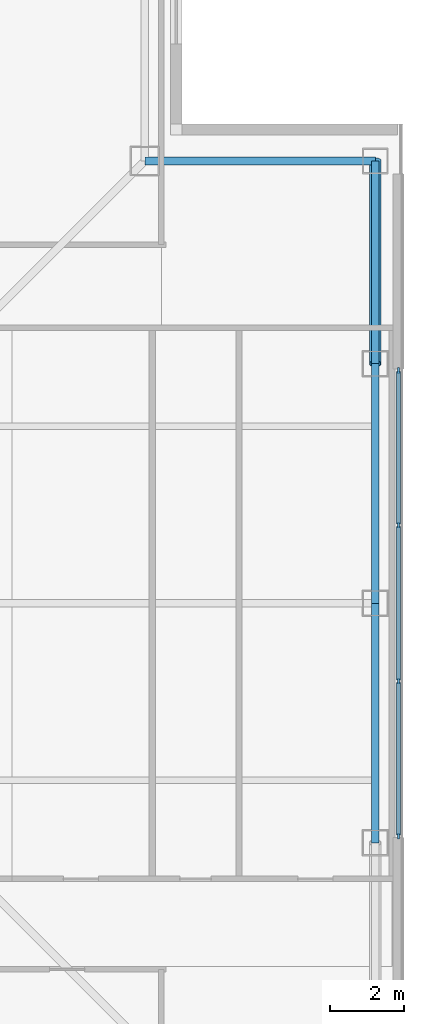
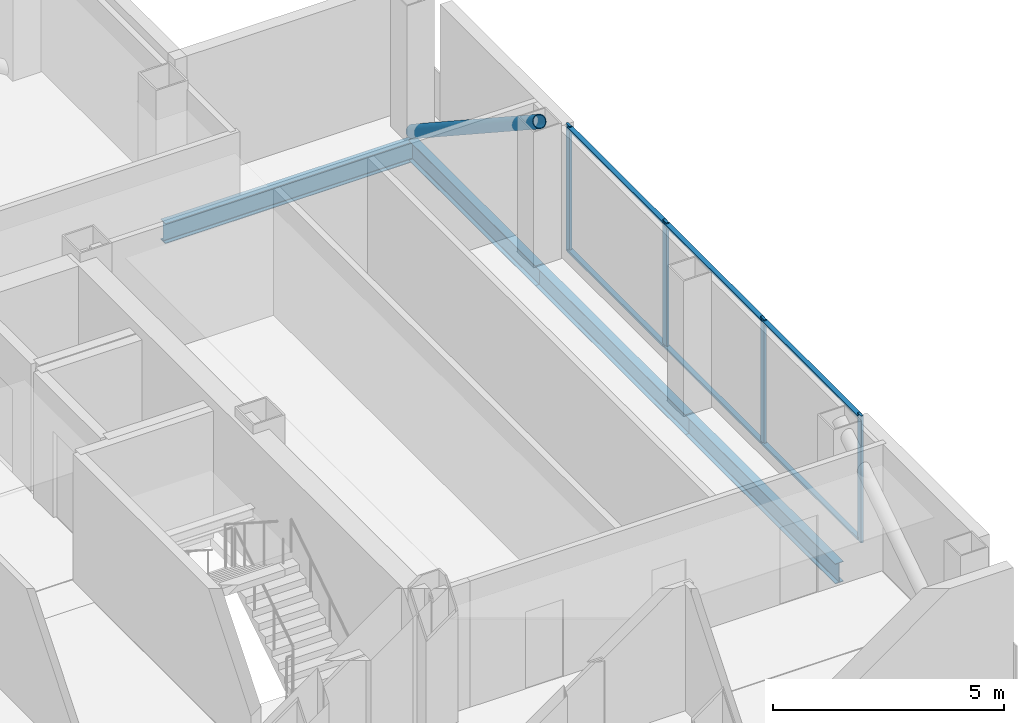
# One storey, part 6 of 16: 11 members, 4 beams, 1 element without a shape of its own.
"""IFC4 building model written with IfcOpenShell, lengths in metres."""

from ifc_helpers import new_model, si_unit, direction, frame, origin, origin_2d, place, context, subcontext, project, spatial, rectangle, hollow_circle, i_section, extrude, material, layer, layer_set, material_profile, profile_set, type_object, element, aggregate, save


model = new_model("IFC4")

# Units and contexts
model_context = context("Model", 3, precision=1e-05, world=origin(), true_north=direction((0.0, 1.0)))
body_context = subcontext(model_context, "Body", "Model", "MODEL_VIEW")
ifc_project = project(units=[si_unit("LENGTHUNIT", "METRE"), si_unit("AREAUNIT", "SQUARE_METRE"), si_unit("VOLUMEUNIT", "CUBIC_METRE"), si_unit("PLANEANGLEUNIT", "RADIAN"), si_unit("MASSUNIT", "GRAM", prefix="KILO")], contexts=[model_context])

# Site, building, storey
site_placement = place(None, origin())
site = spatial("IfcSite", under=ifc_project, at=site_placement, CompositionType="ELEMENT")
building_placement = place(site_placement, origin())
building = spatial("IfcBuilding", under=site, at=building_placement, Name="Trevonay Congress Spire", CompositionType="ELEMENT")
storey_placement = place(building_placement, frame((0.0, 0.0, 290.0)))
storey = spatial("IfcBuildingStorey", under=building, at=storey_placement, Name="L76", CompositionType="ELEMENT", Elevation=290.0)

# Beams
ifc_material_1 = material(Name="Steel ASTM A572 Grade 50", Category="steel")
ifc_material_profile_1 = material_profile(ifc_material_1, i_section(OverallWidth=0.208984375, OverallDepth=0.532958984375, WebThickness=0.01025390625, FlangeThickness=0.015625, FilletRadius=0.014892578125, at=origin_2d()), Name="W530x92")
ifc_profile_set_1 = profile_set([ifc_material_profile_1], Name="Steel ASTM A572 Grade 50")
beam_type = type_object("IfcBeamType", Name="BM-RING-W530X92", PredefinedType="BEAM", material=ifc_profile_set_1)
for number, where, z_axis, x_axis, name in (
    (1, (18.25, -6.5, -0.506591796875), (0.0, 1.0, 0.0), (-1.0, 0.0, 0.0), "L76 structural beam BM-L76-PE2"),
    (2, (18.25, 0.0, -0.506591796875), (0.0, 1.0, 0.0), (-1.0, 0.0, 0.0), "L76 structural beam BM-L76-PE3"),
):
    element("IfcBeam", number, at=place(storey_placement, frame(where, z_axis=z_axis, x_axis=x_axis)), inside=storey, type_object=beam_type, Name=name, PredefinedType="BEAM", context=body_context, shape_type="SweptSolid", body=[
        extrude(i_section(OverallWidth=0.208984375, OverallDepth=0.532958984375, WebThickness=0.01025390625, FlangeThickness=0.015625, FilletRadius=0.014892578125, at=origin_2d()), origin(), (0.0, 0.0, 1.0), 6.5),
    ])
beam_1_placement = place(storey_placement, frame((18.25, 6.5, -0.506591796875), z_axis=(0.0, 1.0, 0.0), x_axis=(-1.0, 0.0, 0.0)))
element("IfcBeam", 3, at=beam_1_placement, inside=storey, type_object=beam_type, Name="L76 structural beam BM-L76-PE4", PredefinedType="BEAM", context=body_context, shape_type="SweptSolid", body=[
    extrude(i_section(OverallWidth=0.208984375, OverallDepth=0.532958984375, WebThickness=0.01025390625, FlangeThickness=0.015625, FilletRadius=0.014892578125, at=origin_2d()), origin(), (0.0, 0.0, 1.0), 5.5),
])
beam_2_placement = place(storey_placement, frame((18.25, 12.0, -0.506591796875), z_axis=(-1.0, 0.0, 0.0), x_axis=(0.0, -1.0, 0.0)))
element("IfcBeam", 4, at=beam_2_placement, inside=storey, type_object=beam_type, Name="L76 structural beam BM-L76-N2NE", PredefinedType="BEAM", context=body_context, shape_type="SweptSolid", body=[
    extrude(i_section(OverallWidth=0.208984375, OverallDepth=0.532958984375, WebThickness=0.01025390625, FlangeThickness=0.015625, FilletRadius=0.014892578125, at=origin_2d()), origin(), (0.0, 0.0, 1.0), 6.25),
])

# Curtain wall, members
ifc_material_2 = material(Name="Pale Anodised Aluminium EN AW-6063-T6", Category="aluminium")
ifc_layer = layer(ifc_material_2, 0.1650390625, Name="Pale Anodised Aluminium EN AW-6063-T6")
ifc_layer_set = layer_set([ifc_layer], Name="Pale Anodised Aluminium EN AW-6063-T6")
curtain_wall_type = type_object("IfcCurtainWallType", Name="CW-SYS05-DIPLOM-PALE-METAL", PredefinedType="NOTDEFINED", material=ifc_layer_set)
curtain_wall_placement = place(storey_placement, origin())
curtain_wall = element("IfcCurtainWall", 5, at=curtain_wall_placement, inside=storey, type_object=curtain_wall_type, Name="L76 E unitised curtain wall", PredefinedType="NOTDEFINED")
ifc_material_profile_2 = material_profile(ifc_material_2, rectangle(XDim=0.06005859375, YDim=0.159912109375, at=origin_2d()), Name="CW-MULLION-160-ALUMINIUM")
ifc_profile_set_2 = profile_set([ifc_material_profile_2], Name="Pale Anodised Aluminium EN AW-6063-T6")
member_type_1 = type_object("IfcMemberType", Name="CW-MULLION-160-ALUMINIUM", PredefinedType="MULLION", material=ifc_profile_set_2)
member_1_placement = place(storey_placement, frame((18.8798828125, -6.320068359375, 0.0), z_axis=(0.0, 0.0, 1.0), x_axis=(-1.0, 0.0, 0.0)))
member_1 = element("IfcMember", 6, at=member_1_placement, type_object=member_type_1, Name="CW05 mullion 1", PredefinedType="MULLION", context=body_context, shape_type="SweptSolid", body=[
    extrude(rectangle(XDim=0.06005859375, YDim=0.159912109375, at=origin_2d()), origin(), (0.0, 0.0, 1.0), 3.360107421875),
])
member_2_placement = place(storey_placement, frame((18.8798828125, -2.11669921875, 0.0), z_axis=(0.0, 0.0, 1.0), x_axis=(-1.0, 0.0, 0.0)))
member_2 = element("IfcMember", 7, at=member_2_placement, type_object=member_type_1, Name="CW05 mullion 2", PredefinedType="MULLION", context=body_context, shape_type="SweptSolid", body=[
    extrude(rectangle(XDim=0.06005859375, YDim=0.159912109375, at=origin_2d()), origin(), (0.0, 0.0, 1.0), 3.360107421875),
])
member_3_placement = place(storey_placement, frame((18.8798828125, 2.11669921875, 0.0), z_axis=(0.0, 0.0, 1.0), x_axis=(-1.0, 0.0, 0.0)))
member_3 = element("IfcMember", 8, at=member_3_placement, type_object=member_type_1, Name="CW05 mullion 3", PredefinedType="MULLION", context=body_context, shape_type="SweptSolid", body=[
    extrude(rectangle(XDim=0.06005859375, YDim=0.159912109375, at=origin_2d()), origin(), (0.0, 0.0, 1.0), 3.360107421875),
])
member_4_placement = place(storey_placement, frame((18.8798828125, 6.320068359375, 0.0), z_axis=(0.0, 0.0, 1.0), x_axis=(-1.0, 0.0, 0.0)))
member_4 = element("IfcMember", 9, at=member_4_placement, type_object=member_type_1, Name="CW05 mullion 4", PredefinedType="MULLION", context=body_context, shape_type="SweptSolid", body=[
    extrude(rectangle(XDim=0.06005859375, YDim=0.159912109375, at=origin_2d()), origin(), (0.0, 0.0, 1.0), 3.360107421875),
])
ifc_material_profile_3 = material_profile(ifc_material_2, rectangle(XDim=0.1201171875, YDim=0.06005859375, at=origin_2d()), Name="CW-TRANSOM-120-ALUMINIUM")
ifc_profile_set_3 = profile_set([ifc_material_profile_3], Name="Pale Anodised Aluminium EN AW-6063-T6")
member_type_2 = type_object("IfcMemberType", Name="CW-TRANSOM-120-ALUMINIUM", PredefinedType="USERDEFINED", material=ifc_profile_set_3)
member_5_placement = place(storey_placement, frame((18.8798828125, -6.2900390625, 0.06005859375), z_axis=(0.0, 1.0, 0.0), x_axis=(-1.0, 0.0, 0.0)))
member_5 = element("IfcMember", 10, at=member_5_placement, type_object=member_type_2, Name="CW05 transom 1.1", ObjectType="TRANSOM", PredefinedType="USERDEFINED", context=body_context, shape_type="SweptSolid", body=[
    extrude(rectangle(XDim=0.1201171875, YDim=0.06005859375, at=origin_2d()), origin(), (0.0, 0.0, 1.0), 4.143310546875),
])
member_6_placement = place(storey_placement, frame((18.8798828125, -6.2900390625, 3.300048828125), z_axis=(0.0, 1.0, 0.0), x_axis=(-1.0, 0.0, 0.0)))
member_6 = element("IfcMember", 11, at=member_6_placement, type_object=member_type_2, Name="CW05 transom 1.2", ObjectType="TRANSOM", PredefinedType="USERDEFINED", context=body_context, shape_type="SweptSolid", body=[
    extrude(rectangle(XDim=0.1201171875, YDim=0.06005859375, at=origin_2d()), origin(), (0.0, 0.0, 1.0), 4.143310546875),
])
member_7_placement = place(storey_placement, frame((18.8798828125, -2.086669921875, 0.06005859375), z_axis=(0.0, 1.0, 0.0), x_axis=(-1.0, 0.0, 0.0)))
member_7 = element("IfcMember", 12, at=member_7_placement, type_object=member_type_2, Name="CW05 transom 2.1", ObjectType="TRANSOM", PredefinedType="USERDEFINED", context=body_context, shape_type="SweptSolid", body=[
    extrude(rectangle(XDim=0.1201171875, YDim=0.06005859375, at=origin_2d()), origin(), (0.0, 0.0, 1.0), 4.17333984375),
])
member_8_placement = place(storey_placement, frame((18.8798828125, -2.086669921875, 3.300048828125), z_axis=(0.0, 1.0, 0.0), x_axis=(-1.0, 0.0, 0.0)))
member_8 = element("IfcMember", 13, at=member_8_placement, type_object=member_type_2, Name="CW05 transom 2.2", ObjectType="TRANSOM", PredefinedType="USERDEFINED", context=body_context, shape_type="SweptSolid", body=[
    extrude(rectangle(XDim=0.1201171875, YDim=0.06005859375, at=origin_2d()), origin(), (0.0, 0.0, 1.0), 4.17333984375),
])
member_9_placement = place(storey_placement, frame((18.8798828125, 2.146728515625, 0.06005859375), z_axis=(0.0, 1.0, 0.0), x_axis=(-1.0, 0.0, 0.0)))
member_9 = element("IfcMember", 14, at=member_9_placement, type_object=member_type_2, Name="CW05 transom 3.1", ObjectType="TRANSOM", PredefinedType="USERDEFINED", context=body_context, shape_type="SweptSolid", body=[
    extrude(rectangle(XDim=0.1201171875, YDim=0.06005859375, at=origin_2d()), origin(), (0.0, 0.0, 1.0), 4.143310546875),
])
member_10_placement = place(storey_placement, frame((18.8798828125, 2.146728515625, 3.300048828125), z_axis=(0.0, 1.0, 0.0), x_axis=(-1.0, 0.0, 0.0)))
member_10 = element("IfcMember", 15, at=member_10_placement, type_object=member_type_2, Name="CW05 transom 3.2", ObjectType="TRANSOM", PredefinedType="USERDEFINED", context=body_context, shape_type="SweptSolid", body=[
    extrude(rectangle(XDim=0.1201171875, YDim=0.06005859375, at=origin_2d()), origin(), (0.0, 0.0, 1.0), 4.143310546875),
])
aggregate(curtain_wall, [member_1, member_2, member_3, member_4, member_5, member_6, member_7, member_8, member_9, member_10])

# Member
ifc_material_3 = material(Name="Steel ASTM A500 Grade C", Category="steel")
ifc_material_profile_4 = material_profile(ifc_material_3, hollow_circle(Radius=0.161865234375, WallThickness=0.01611328125, at=origin_2d()), Name="CHS 323.9x16")
ifc_profile_set_4 = profile_set([ifc_material_profile_4], Name="Steel ASTM A500 Grade C")
member_type_3 = type_object("IfcMemberType", Name="MBR-TUBE-CHS324", PredefinedType="BRACE", material=ifc_profile_set_4)
member_11_placement = place(storey_placement, frame((18.25, 12.0, -0.050048828125), z_axis=(0.0, -0.836694709366, 0.547669574943), x_axis=(1.0, 0.0, 0.0)))
element("IfcMember", 16, at=member_11_placement, inside=storey, type_object=member_type_3, Name="L76 perimeter braced-tube diagonal E3", PredefinedType="BRACE", context=body_context, shape_type="SweptSolid", body=[
    extrude(hollow_circle(Radius=0.161865234375, WallThickness=0.01611328125, at=origin_2d()), origin(), (0.0, 0.0, 1.0), 6.573486328125),
])

save(model, "model.ifc")
